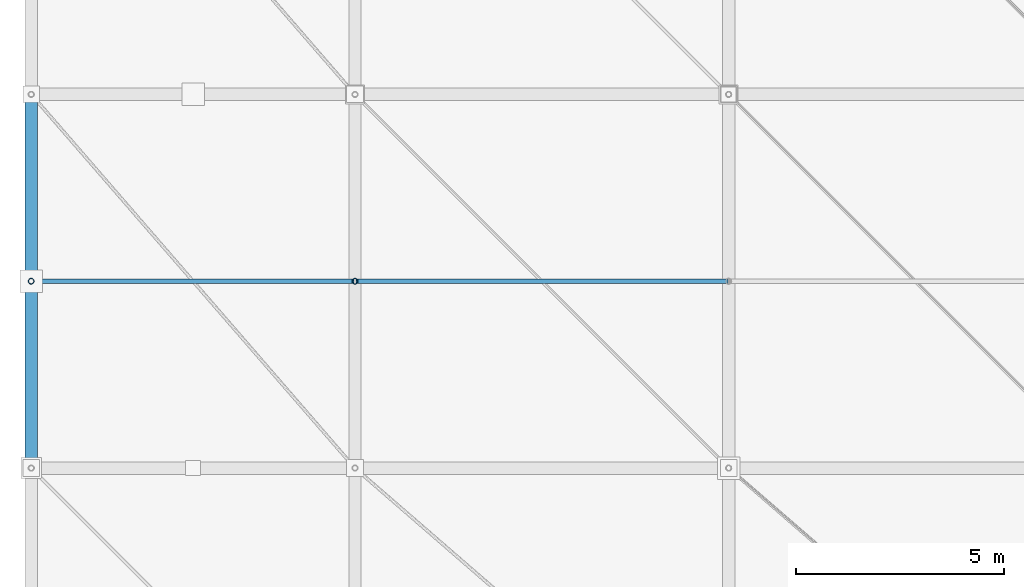
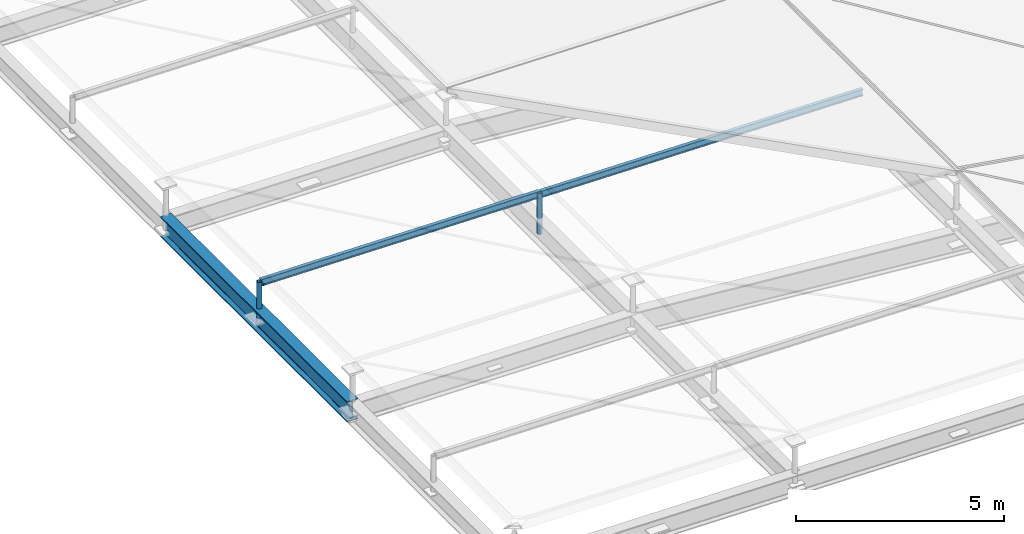
# One storey, part 2 of 80: 4 members, 1 beam.
"""IFC4 building model written with IfcOpenShell, lengths in metres."""

from ifc_helpers import new_model, si_unit, direction, frame, origin, origin_2d, place, context, subcontext, project, spatial, hollow_circle, i_section, extrude, material, material_profile, profile_set, type_object, element, save


model = new_model("IFC4")

# Units and contexts
model_context = context("Model", 3, precision=1e-05, world=origin(), true_north=direction((0.0, 1.0)))
body_context = subcontext(model_context, "Body", "Model", "MODEL_VIEW")
ifc_project = project(units=[si_unit("LENGTHUNIT", "METRE"), si_unit("AREAUNIT", "SQUARE_METRE"), si_unit("VOLUMEUNIT", "CUBIC_METRE"), si_unit("PLANEANGLEUNIT", "RADIAN"), si_unit("MASSUNIT", "GRAM", prefix="KILO")], contexts=[model_context])

# Site, building, storey
site_placement = place(None, origin())
site = spatial("IfcSite", under=ifc_project, at=site_placement, CompositionType="ELEMENT")
building_placement = place(site_placement, origin())
building = spatial("IfcBuilding", under=site, at=building_placement, Name="Barlavento Convention Centre", CompositionType="ELEMENT")
storey_placement = place(building_placement, frame((0.0, 0.0, 29.800048828125)))
storey = spatial("IfcBuildingStorey", under=building, at=storey_placement, Name="RF", CompositionType="ELEMENT", Elevation=29.800048828125)

# Beam
ifc_material = material(Name="Steel S355", Category="steel")
ifc_material_profile_1 = material_profile(ifc_material, i_section(OverallWidth=0.300048828125, OverallDepth=0.60009765625, WebThickness=0.015380859375, FlangeThickness=0.030029296875, FilletRadius=0.027099609375, at=origin_2d()), Name="HEB 600")
ifc_profile_set_1 = profile_set([ifc_material_profile_1], Name="Steel S355")
beam_type = type_object("IfcBeamType", Name="STR-BM-CANT-HEB600", PredefinedType="BEAM", material=ifc_profile_set_1)
beam_placement = place(storey_placement, frame((-7.800048828125, 0.0048828125, 0.39990234375), z_axis=(0.0, 1.0, 0.0), x_axis=(-1.0, 0.0, 0.0)))
element("IfcBeam", 1, at=beam_placement, inside=storey, type_object=beam_type, Name="Congress roof truss space frame chord", PredefinedType="BEAM", context=body_context, shape_type="SweptSolid", body=[
    extrude(i_section(OverallWidth=0.300048828125, OverallDepth=0.60009765625, WebThickness=0.015380859375, FlangeThickness=0.030029296875, FilletRadius=0.027099609375, at=origin_2d()), origin(), (0.0, 0.0, 1.0), 8.990234375),
])

# Members
ifc_material_profile_2 = material_profile(ifc_material, hollow_circle(Radius=0.06982421875, WallThickness=0.008056640625, at=origin_2d()), Name="CHS 139.7x8.0")
ifc_profile_set_2 = profile_set([ifc_material_profile_2], Name="Steel S355")
member_type_1 = type_object("IfcMemberType", Name="STR-MEM-DIAG-CHS139", PredefinedType="BRACE", material=ifc_profile_set_2)
member_1_placement = place(storey_placement, frame((-7.800048828125, 4.5, 0.280029296875), z_axis=(0.0, 0.0, 1.0), x_axis=(1.0, 0.0, 0.0)))
element("IfcMember", 2, at=member_1_placement, inside=storey, type_object=member_type_1, Name="Congress space frame vertical node post TD04", PredefinedType="BRACE", context=body_context, shape_type="SweptSolid", body=[
    extrude(hollow_circle(Radius=0.06982421875, WallThickness=0.008056640625, at=origin_2d()), origin(), (0.0, 0.0, 1.0), 1.196533203125),
])
member_2_placement = place(storey_placement, frame((0.0, 4.5, 0.166748046875), z_axis=(0.0, 0.0, 1.0), x_axis=(1.0, 0.0, 0.0)))
element("IfcMember", 3, at=member_2_placement, inside=storey, type_object=member_type_1, Name="Congress space frame vertical node post TD04", PredefinedType="BRACE", context=body_context, shape_type="SweptSolid", body=[
    extrude(hollow_circle(Radius=0.06982421875, WallThickness=0.008056640625, at=origin_2d()), origin(), (0.0, 0.0, 1.0), 1.197509765625),
])
ifc_material_profile_3 = material_profile(ifc_material, i_section(OverallWidth=0.10009765625, OverallDepth=0.199951171875, WebThickness=0.005615234375, FlangeThickness=0.008544921875, FilletRadius=0.011962890625, at=origin_2d()), Name="IPE 200")
ifc_profile_set_3 = profile_set([ifc_material_profile_3], Name="Steel S355")
member_type_2 = type_object("IfcMemberType", Name="STR-MEM-PUR-IPE200", PredefinedType="PURLIN", material=ifc_profile_set_3)
member_3_placement = place(storey_placement, frame((-7.780029296875, 4.5, 1.436767578125), z_axis=(0.999894837982, 0.0, -0.014502171474), x_axis=(0.0, 1.0, 0.0)))
element("IfcMember", 4, at=member_3_placement, inside=storey, type_object=member_type_2, Name="Congress roof intermediate purlin PR01", PredefinedType="PURLIN", context=body_context, shape_type="SweptSolid", body=[
    extrude(i_section(OverallWidth=0.10009765625, OverallDepth=0.199951171875, WebThickness=0.005615234375, FlangeThickness=0.008544921875, FilletRadius=0.011962890625, at=origin_2d()), origin(), (0.0, 0.0, 1.0), 7.7607421875),
])
member_4_placement = place(storey_placement, frame((0.02001953125, 4.5, 1.30859375), z_axis=(0.999894555581, 0.0, -0.014521629377), x_axis=(0.0, 1.0, 0.0)))
element("IfcMember", 5, at=member_4_placement, inside=storey, type_object=member_type_2, Name="Congress roof intermediate purlin PR01", PredefinedType="PURLIN", context=body_context, shape_type="SweptSolid", body=[
    extrude(i_section(OverallWidth=0.10009765625, OverallDepth=0.199951171875, WebThickness=0.005615234375, FlangeThickness=0.008544921875, FilletRadius=0.011962890625, at=origin_2d()), origin(), (0.0, 0.0, 1.0), 8.9609375),
])

save(model, "model.ifc")
